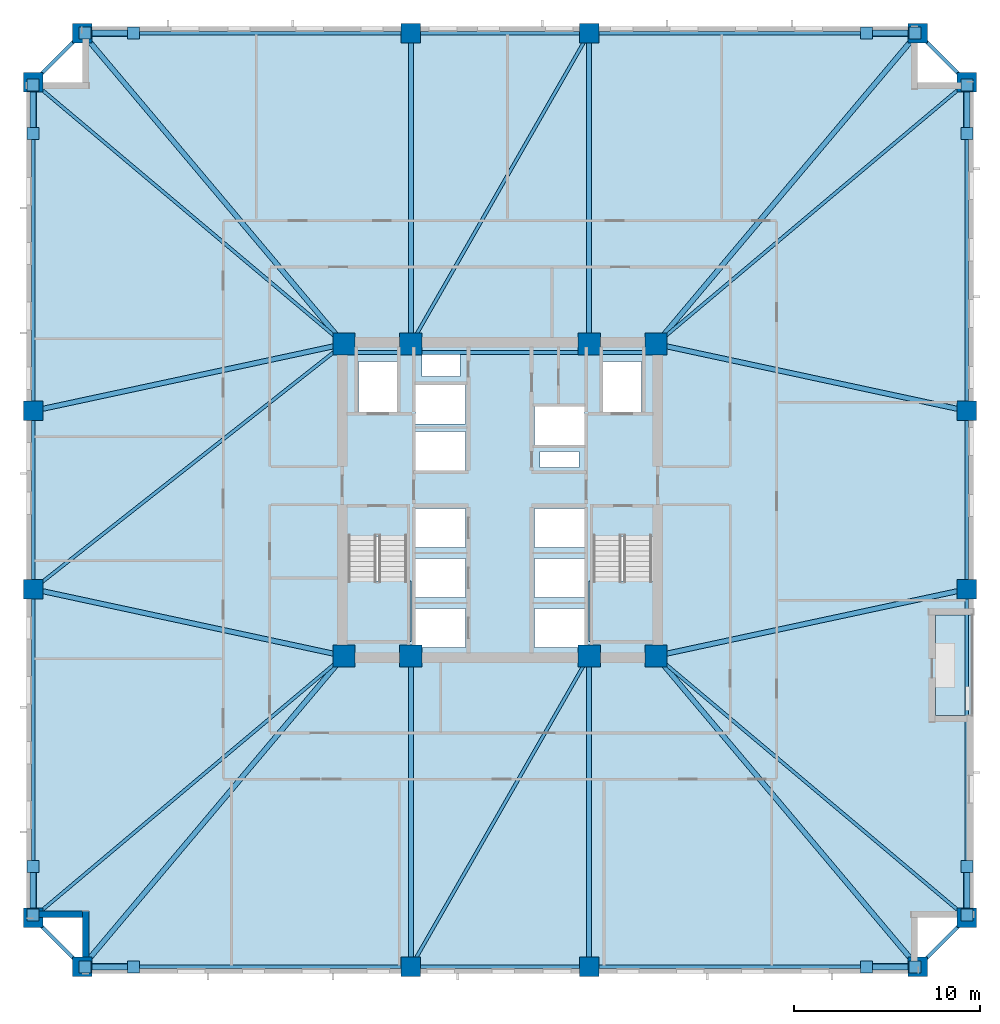
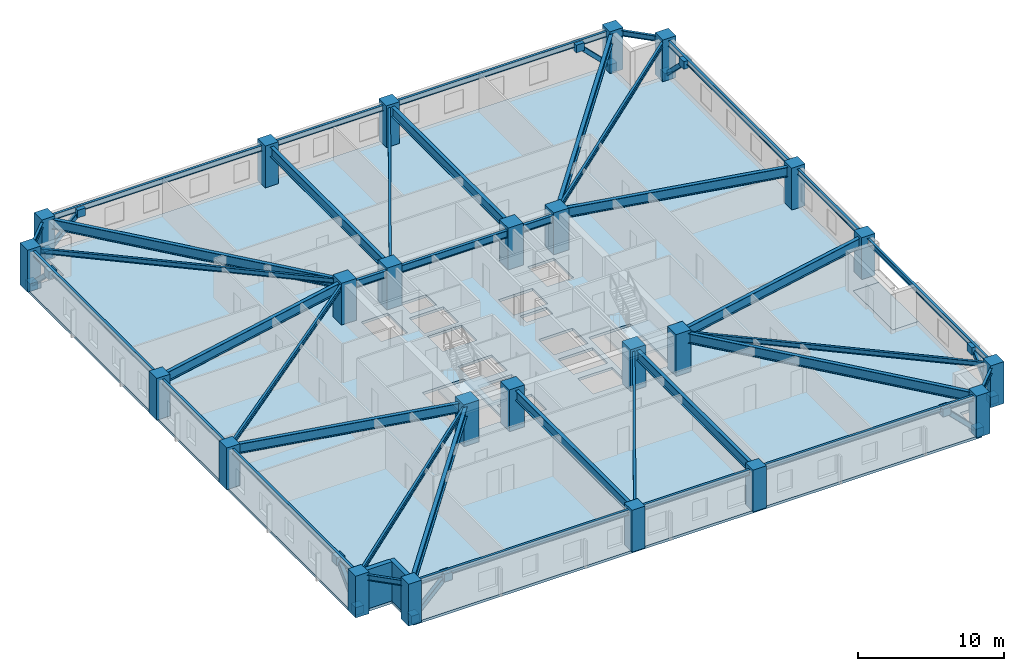
# One storey, part 1 of 11: 38 beams, 24 columns, 16 plates, 8 members, 4 slabs, 2 walls, 2 elements without a shape of their own.
"""IFC4 building model written with IfcOpenShell, lengths in metres."""

from ifc_helpers import new_model, si_unit, direction, frame, frame_2d, origin, origin_2d, place, context, subcontext, project, spatial, polyline, rectangle, hollow_rectangle, i_section, outline, extrude, material, layer, layer_set, material_profile, profile_set, type_object, element, aggregate, save


model = new_model("IFC4")

# Units and contexts
model_context = context("Model", 3, precision=1e-05, world=origin(), true_north=direction((0.0, 1.0)))
body_context = subcontext(model_context, "Body", "Model", "MODEL_VIEW")
ifc_project = project(units=[si_unit("LENGTHUNIT", "METRE"), si_unit("AREAUNIT", "SQUARE_METRE"), si_unit("VOLUMEUNIT", "CUBIC_METRE"), si_unit("PLANEANGLEUNIT", "RADIAN"), si_unit("MASSUNIT", "GRAM", prefix="KILO")], contexts=[model_context])

# Site, building, storey
site_placement = place(None, origin())
site = spatial("IfcSite", under=ifc_project, at=site_placement, CompositionType="ELEMENT")
building_placement = place(site_placement, origin())
building = spatial("IfcBuilding", under=site, at=building_placement, Name="Cairnveth Concourse Tower", CompositionType="ELEMENT")
storey_placement = place(building_placement, frame((0.0, 0.0, 58.5)))
storey = spatial("IfcBuildingStorey", under=building, at=storey_placement, Name="L15", CompositionType="ELEMENT", Elevation=58.5)

# Columns
ifc_material_1 = material(Name="Concrete N80 (80 MPa)", Category="concrete")
ifc_material_profile_1 = material_profile(ifc_material_1, rectangle(XDim=1.199951171875, YDim=1.199951171875, at=origin_2d()), Name="RC-COL-1200x1200")
ifc_profile_set_1 = profile_set([ifc_material_profile_1], Name="Concrete N80 (80 MPa)")
column_type_1 = type_object("IfcColumnType", Name="CORE COLUMN 1200X1200", PredefinedType="COLUMN", material=ifc_profile_set_1)
for number, where, z_axis, x_axis, name in (
    (1, (43.60009765625, 30.60009765625, 0.0), (0.0, 0.0, 1.0), (1.0, 0.0, 0.0), "Column CC1 L15"),
    (2, (47.199951171875, 30.60009765625, 0.0), (0.0, 0.0, 1.0), (1.0, 0.0, 0.0), "Column CC2 L15"),
    (3, (56.800048828125, 30.60009765625, 0.0), (0.0, 0.0, 1.0), (1.0, 0.0, 0.0), "Column CC3 L15"),
    (4, (60.39990234375, 30.60009765625, 0.0), (0.0, 0.0, 1.0), (1.0, 0.0, 0.0), "Column CC4 L15"),
    (5, (43.60009765625, 47.39990234375, 0.0), (0.0, 0.0, 1.0), (1.0, 0.0, 0.0), "Column CC5 L15"),
    (6, (47.199951171875, 47.39990234375, 0.0), (0.0, 0.0, 1.0), (1.0, 0.0, 0.0), "Column CC6 L15"),
    (7, (56.800048828125, 47.39990234375, 0.0), (0.0, 0.0, 1.0), (1.0, 0.0, 0.0), "Column CC7 L15"),
    (8, (60.39990234375, 47.39990234375, 0.0), (0.0, 0.0, 1.0), (1.0, 0.0, 0.0), "Column CC8 L15"),
):
    element("IfcColumn", number, at=place(storey_placement, frame(where, z_axis=z_axis, x_axis=x_axis)), inside=storey, type_object=column_type_1, Name=name, PredefinedType="COLUMN", context=body_context, shape_type="SweptSolid", body=[
        extrude(rectangle(XDim=1.199951171875, YDim=1.199951171875, at=origin_2d()), origin(), (0.0, 0.0, 1.0), 3.5),
    ])
ifc_material_2 = material(Name="Concrete N65 (65 MPa)", Category="concrete")
ifc_material_profile_2 = material_profile(ifc_material_2, rectangle(XDim=1.050048828125, YDim=1.050048828125, at=origin_2d()), Name="RC-COL-1050x1050")
ifc_profile_set_2 = profile_set([ifc_material_profile_2], Name="Concrete N65 (65 MPa)")
column_type_2 = type_object("IfcColumnType", Name="PERIMETER PIER COLUMN 1050X1050", PredefinedType="COLUMN", material=ifc_profile_set_2)
for number, where, z_axis, x_axis, name in (
    (9, (29.5, 13.85009765625, 0.0), (0.0, 0.0, 1.0), (1.0, 0.0, 0.0), "Column P-S1 L15"),
    (10, (47.199951171875, 13.85009765625, 0.0), (0.0, 0.0, 1.0), (1.0, 0.0, 0.0), "Column P-S2 L15"),
    (11, (56.800048828125, 13.85009765625, 0.0), (0.0, 0.0, 1.0), (1.0, 0.0, 0.0), "Column P-S3 L15"),
    (12, (74.5, 13.85009765625, 0.0), (0.0, 0.0, 1.0), (1.0, 0.0, 0.0), "Column P-S4 L15"),
    (13, (77.14990234375, 16.5, 0.0), (0.0, 0.0, 1.0), (0.0, 1.0, 0.0), "Column P-E1 L15"),
    (14, (77.14990234375, 34.199951171875, 0.0), (0.0, 0.0, 1.0), (0.0, 1.0, 0.0), "Column P-E2 L15"),
    (15, (77.14990234375, 43.800048828125, 0.0), (0.0, 0.0, 1.0), (0.0, 1.0, 0.0), "Column P-E3 L15"),
    (16, (77.14990234375, 61.5, 0.0), (0.0, 0.0, 1.0), (0.0, 1.0, 0.0), "Column P-E4 L15"),
    (17, (74.5, 64.14990234375, 0.0), (0.0, 0.0, 1.0), (1.0, 0.0, 0.0), "Column P-N1 L15"),
    (18, (56.800048828125, 64.14990234375, 0.0), (0.0, 0.0, 1.0), (1.0, 0.0, 0.0), "Column P-N2 L15"),
    (19, (47.199951171875, 64.14990234375, 0.0), (0.0, 0.0, 1.0), (1.0, 0.0, 0.0), "Column P-N3 L15"),
    (20, (29.5, 64.14990234375, 0.0), (0.0, 0.0, 1.0), (1.0, 0.0, 0.0), "Column P-N4 L15"),
    (21, (26.85009765625, 61.5, 0.0), (0.0, 0.0, 1.0), (0.0, 1.0, 0.0), "Column P-W1 L15"),
    (22, (26.85009765625, 43.800048828125, 0.0), (0.0, 0.0, 1.0), (0.0, 1.0, 0.0), "Column P-W2 L15"),
    (23, (26.85009765625, 34.199951171875, 0.0), (0.0, 0.0, 1.0), (0.0, 1.0, 0.0), "Column P-W3 L15"),
    (24, (26.85009765625, 16.5, 0.0), (0.0, 0.0, 1.0), (0.0, 1.0, 0.0), "Column P-W4 L15"),
):
    element("IfcColumn", number, at=place(storey_placement, frame(where, z_axis=z_axis, x_axis=x_axis)), inside=storey, type_object=column_type_2, Name=name, PredefinedType="COLUMN", context=body_context, shape_type="SweptSolid", body=[
        extrude(rectangle(XDim=1.050048828125, YDim=1.050048828125, at=origin_2d()), origin(), (0.0, 0.0, 1.0), 3.5),
    ])

# Beams
ifc_material_3 = material(Name="Steel Grade 350", Category="steel")
ifc_material_profile_3 = material_profile(ifc_material_3, i_section(OverallWidth=0.22802734375, OverallDepth=0.60693359375, WebThickness=0.01123046875, FlangeThickness=0.017333984375, FilletRadius=0.013916015625, at=origin_2d()), Name="610UB113")
ifc_profile_set_3 = profile_set([ifc_material_profile_3], Name="Steel Grade 350")
beam_type_1 = type_object("IfcBeamType", Name="CORE TIE BEAM 610UB113", PredefinedType="T_BEAM", material=ifc_profile_set_3)
for number, where, z_axis, x_axis, name in (
    (25, (43.60009765625, 46.949951171875, 2.9765625), (1.0, 0.0, 0.0), (0.0, 1.0, 0.0), "Beam CT-N1 L15"),
    (26, (56.800048828125, 46.949951171875, 2.9765625), (1.0, 0.0, 0.0), (0.0, 1.0, 0.0), "Beam CT-N3 L15"),
):
    element("IfcBeam", number, at=place(storey_placement, frame(where, z_axis=z_axis, x_axis=x_axis)), inside=storey, type_object=beam_type_1, Name=name, PredefinedType="T_BEAM", context=body_context, shape_type="SweptSolid", body=[
        extrude(i_section(OverallWidth=0.22802734375, OverallDepth=0.60693359375, WebThickness=0.01123046875, FlangeThickness=0.017333984375, FilletRadius=0.013916015625, at=origin_2d()), origin(), (0.0, 0.0, 1.0), 3.599853515625),
    ])
beam_1_placement = place(storey_placement, frame((47.199951171875, 46.949951171875, 2.9765625), z_axis=(1.0, 0.0, 0.0), x_axis=(0.0, 1.0, 0.0)))
element("IfcBeam", 27, at=beam_1_placement, inside=storey, type_object=beam_type_1, Name="Beam CT-N2 L15", PredefinedType="T_BEAM", context=body_context, shape_type="SweptSolid", body=[
    extrude(i_section(OverallWidth=0.22802734375, OverallDepth=0.60693359375, WebThickness=0.01123046875, FlangeThickness=0.017333984375, FilletRadius=0.013916015625, at=origin_2d()), origin(), (0.0, 0.0, 1.0), 9.60009765625),
])
ifc_material_profile_4 = material_profile(ifc_material_3, i_section(OverallWidth=0.177978515625, OverallDepth=0.406005859375, WebThickness=0.0078125, FlangeThickness=0.0126953125, FilletRadius=0.010986328125, at=origin_2d()), Name="410UB59.7")
ifc_profile_set_4 = profile_set([ifc_material_profile_4], Name="Steel Grade 350")
beam_type_2 = type_object("IfcBeamType", Name="ZONE 1 FLOOR JOIST 410UB59.7", PredefinedType="JOIST", material=ifc_profile_set_4)
for number, where, z_axis, x_axis, name in (
    (28, (26.85009765625, 16.5, 3.076904296875), (0.765027427674, 0.643997697905, 0.0), (-0.643997697905, 0.765027427674, 0.0), "Beam FJ-CSW2 L15"),
    (29, (77.14990234375, 16.5, 3.076904296875), (-0.765027427674, 0.643997697905, 0.0), (-0.643997697905, -0.765027427674, 0.0), "Beam FJ-CSE2 L15"),
    (30, (77.14990234375, 61.5, 3.076904296875), (-0.765027427674, -0.643997697905, 0.0), (0.643997697905, -0.765027427674, 0.0), "Beam FJ-CNE2 L15"),
    (31, (26.85009765625, 61.5, 3.076904296875), (0.765027427674, -0.643997697905, 0.0), (0.643997697905, 0.765027427674, 0.0), "Beam FJ-CNW2 L15"),
):
    element("IfcBeam", number, at=place(storey_placement, frame(where, z_axis=z_axis, x_axis=x_axis)), inside=storey, type_object=beam_type_2, Name=name, PredefinedType="JOIST", context=body_context, shape_type="SweptSolid", body=[
        extrude(i_section(OverallWidth=0.177978515625, OverallDepth=0.406005859375, WebThickness=0.0078125, FlangeThickness=0.0126953125, FilletRadius=0.010986328125, at=origin_2d()), origin(), (0.0, 0.0, 1.0), 21.89453125),
    ])
for number, where, z_axis, x_axis, name in (
    (32, (47.199951171875, 13.85009765625, 3.076904296875), (0.497257970706, 0.86760273776, 0.0), (-0.86760273776, 0.497257970706, 0.0), "Beam FJ-S-M1 L15"),
    (33, (47.199951171875, 47.39990234375, 3.076904296875), (0.497257970706, 0.86760273776, 0.0), (-0.86760273776, 0.497257970706, 0.0), "Beam FJ-N-M1 L15"),
):
    element("IfcBeam", number, at=place(storey_placement, frame(where, z_axis=z_axis, x_axis=x_axis)), inside=storey, type_object=beam_type_2, Name=name, PredefinedType="JOIST", context=body_context, shape_type="SweptSolid", body=[
        extrude(i_section(OverallWidth=0.177978515625, OverallDepth=0.406005859375, WebThickness=0.0078125, FlangeThickness=0.0126953125, FilletRadius=0.010986328125, at=origin_2d()), origin(), (0.0, 0.0, 1.0), 19.30615234375),
    ])
beam_2_placement = place(storey_placement, frame((26.85009765625, 34.199951171875, 3.076904296875), z_axis=(0.785423705995, 0.618958481694, 0.0), x_axis=(-0.618958481694, 0.785423705995, 0.0)))
element("IfcBeam", 34, at=beam_2_placement, inside=storey, type_object=beam_type_2, Name="Beam FJ-W-M1 L15", PredefinedType="JOIST", context=body_context, shape_type="SweptSolid", body=[
    extrude(i_section(OverallWidth=0.177978515625, OverallDepth=0.406005859375, WebThickness=0.0078125, FlangeThickness=0.0126953125, FilletRadius=0.010986328125, at=origin_2d()), origin(), (0.0, 0.0, 1.0), 21.326171875),
])

# Members
ifc_material_4 = material(Name="Steel C350L0 (350 MPa)", Category="steel")
ifc_material_profile_5 = material_profile(ifc_material_4, hollow_rectangle(XDim=0.35009765625, YDim=0.35009765625, WallThickness=0.01611328125, InnerFilletRadius=0.01611328125, OuterFilletRadius=0.031982421875, at=origin_2d()), Name="350x350x16.0SHS")
ifc_profile_set_5 = profile_set([ifc_material_profile_5], Name="Steel C350L0 (350 MPa)")
member_type = type_object("IfcMemberType", Name="ZONE 1 PIER BRACE 350X350X16SHS", PredefinedType="BRACE", material=ifc_profile_set_5)
for number, where, z_axis, x_axis, name in (
    (35, (29.64990234375, 13.85009765625, 0.25), (0.709834195787, 0.0, 0.704368805735), (0.0, 1.0, 0.0), "Structural Brace PB-S1 L15"),
    (36, (74.35009765625, 13.85009765625, 0.25), (-0.709834195787, 0.0, 0.704368805735), (0.0, -1.0, 0.0), "Structural Brace PB-S2 L15"),
    (37, (29.64990234375, 64.14990234375, 0.25), (0.709834195787, 0.0, 0.704368805735), (0.0, 1.0, 0.0), "Structural Brace PB-N1 L15"),
    (38, (74.35009765625, 64.14990234375, 0.25), (-0.709834195787, 0.0, 0.704368805735), (0.0, -1.0, 0.0), "Structural Brace PB-N2 L15"),
    (39, (26.85009765625, 16.64990234375, 0.25), (0.0, 0.709834195787, 0.704368805735), (-1.0, 0.0, 0.0), "Structural Brace PB-W1 L15"),
    (40, (26.85009765625, 61.35009765625, 0.25), (0.0, -0.709834195787, 0.704368805735), (1.0, 0.0, 0.0), "Structural Brace PB-W2 L15"),
    (41, (77.14990234375, 16.64990234375, 0.25), (0.0, 0.709834195787, 0.704368805735), (-1.0, 0.0, 0.0), "Structural Brace PB-E1 L15"),
    (42, (77.14990234375, 61.35009765625, 0.25), (0.0, -0.709834195787, 0.704368805735), (1.0, 0.0, 0.0), "Structural Brace PB-E2 L15"),
):
    element("IfcMember", number, at=place(storey_placement, frame(where, z_axis=z_axis, x_axis=x_axis)), inside=storey, type_object=member_type, Name=name, PredefinedType="BRACE", context=body_context, shape_type="SweptSolid", body=[
        extrude(hollow_rectangle(XDim=0.35009765625, YDim=0.35009765625, WallThickness=0.01611328125, InnerFilletRadius=0.01611328125, OuterFilletRadius=0.031982421875, at=origin_2d()), origin(), (0.0, 0.0, 1.0), 3.6630859375),
    ])

# Beams
ifc_material_profile_6 = material_profile(ifc_material_3, i_section(OverallWidth=0.27490234375, OverallDepth=0.81591796875, WebThickness=0.011962890625, FlangeThickness=0.028076171875, at=origin_2d()), Name="800WB192")
ifc_profile_set_6 = profile_set([ifc_material_profile_6], Name="Steel Grade 350")
beam_type_3 = type_object("IfcBeamType", Name="ZONE 1 RADIAL GIRDER 800WB192", PredefinedType="BEAM", material=ifc_profile_set_6)
for number, where, z_axis, x_axis, name in (
    (43, (47.199951171875, 13.85009765625, 2.8720703125), (0.0, 1.0, 0.0), (-1.0, 0.0, 0.0), "Beam RG-S1 L15"),
    (44, (56.800048828125, 13.85009765625, 2.8720703125), (0.0, 1.0, 0.0), (-1.0, 0.0, 0.0), "Beam RG-S2 L15"),
    (45, (47.199951171875, 47.39990234375, 2.8720703125), (0.0, 1.0, 0.0), (-1.0, 0.0, 0.0), "Beam RG-N1 L15"),
    (46, (56.800048828125, 47.39990234375, 2.8720703125), (0.0, 1.0, 0.0), (-1.0, 0.0, 0.0), "Beam RG-N2 L15"),
):
    element("IfcBeam", number, at=place(storey_placement, frame(where, z_axis=z_axis, x_axis=x_axis)), inside=storey, type_object=beam_type_3, Name=name, PredefinedType="BEAM", context=body_context, shape_type="SweptSolid", body=[
        extrude(i_section(OverallWidth=0.27490234375, OverallDepth=0.81591796875, WebThickness=0.011962890625, FlangeThickness=0.028076171875, at=origin_2d()), origin(), (0.0, 0.0, 1.0), 16.75),
    ])
for number, where, z_axis, x_axis, name in (
    (47, (26.85009765625, 34.199951171875, 2.8720703125), (0.977675861524, -0.210118799239, 0.0), (0.210118799239, 0.977675861524, 0.0), "Beam RG-W1 L15"),
    (48, (26.85009765625, 43.800048828125, 2.8720703125), (0.977675861524, 0.210118799239, 0.0), (-0.210118799239, 0.977675861524, 0.0), "Beam RG-W2 L15"),
    (49, (60.39990234375, 30.60009765625, 2.8720703125), (0.977675861524, 0.210118799239, 0.0), (-0.210118799239, 0.977675861524, 0.0), "Beam RG-E1 L15"),
    (50, (60.39990234375, 47.39990234375, 2.8720703125), (0.977675861524, -0.210118799239, 0.0), (0.210118799239, 0.977675861524, 0.0), "Beam RG-E2 L15"),
):
    element("IfcBeam", number, at=place(storey_placement, frame(where, z_axis=z_axis, x_axis=x_axis)), inside=storey, type_object=beam_type_3, Name=name, PredefinedType="BEAM", context=body_context, shape_type="SweptSolid", body=[
        extrude(i_section(OverallWidth=0.27490234375, OverallDepth=0.81591796875, WebThickness=0.011962890625, FlangeThickness=0.028076171875, at=origin_2d()), origin(), (0.0, 0.0, 1.0), 17.132568359375),
    ])
for number, where, z_axis, x_axis, name in (
    (51, (29.5, 13.85009765625, 2.8720703125), (0.643997697905, 0.765027427674, 0.0), (-0.765027427674, 0.643997697905, 0.0), "Beam RG-CSW L15"),
    (52, (74.5, 13.85009765625, 2.8720703125), (-0.643997697905, 0.765027427674, 0.0), (-0.765027427674, -0.643997697905, 0.0), "Beam RG-CSE L15"),
    (53, (74.5, 64.14990234375, 2.8720703125), (-0.643997697905, -0.765027427674, 0.0), (0.765027427674, -0.643997697905, 0.0), "Beam RG-CNE L15"),
    (54, (29.5, 64.14990234375, 2.8720703125), (0.643997697905, -0.765027427674, 0.0), (0.765027427674, 0.643997697905, 0.0), "Beam RG-CNW L15"),
):
    element("IfcBeam", number, at=place(storey_placement, frame(where, z_axis=z_axis, x_axis=x_axis)), inside=storey, type_object=beam_type_3, Name=name, PredefinedType="BEAM", context=body_context, shape_type="SweptSolid", body=[
        extrude(i_section(OverallWidth=0.27490234375, OverallDepth=0.81591796875, WebThickness=0.011962890625, FlangeThickness=0.028076171875, at=origin_2d()), origin(), (0.0, 0.0, 1.0), 21.89453125),
    ])
ifc_material_profile_7 = material_profile(ifc_material_3, i_section(OverallWidth=0.19091796875, OverallDepth=0.4599609375, WebThickness=0.010009765625, FlangeThickness=0.01611328125, FilletRadius=0.010986328125, at=origin_2d()), Name="460UB82.1")
ifc_profile_set_7 = profile_set([ifc_material_profile_7], Name="Steel Grade 350")
beam_type_4 = type_object("IfcBeamType", Name="ZONE 1 SPANDREL BEAM 460UB82.1", PredefinedType="SPANDREL", material=ifc_profile_set_7)
beam_3_placement = place(storey_placement, frame((29.5, 13.85009765625, 3.050048828125), z_axis=(1.0, 0.0, 0.0), x_axis=(0.0, 1.0, 0.0)))
element("IfcBeam", 55, at=beam_3_placement, inside=storey, type_object=beam_type_4, Name="Beam SP-S1 L15", PredefinedType="SPANDREL", context=body_context, shape_type="SweptSolid", body=[
    extrude(i_section(OverallWidth=0.19091796875, OverallDepth=0.4599609375, WebThickness=0.010009765625, FlangeThickness=0.01611328125, FilletRadius=0.010986328125, at=origin_2d()), origin(), (0.0, 0.0, 1.0), 17.699951171875),
])
beam_4_placement = place(storey_placement, frame((47.199951171875, 13.85009765625, 3.050048828125), z_axis=(1.0, 0.0, 0.0), x_axis=(0.0, 1.0, 0.0)))
element("IfcBeam", 56, at=beam_4_placement, inside=storey, type_object=beam_type_4, Name="Beam SP-S2 L15", PredefinedType="SPANDREL", context=body_context, shape_type="SweptSolid", body=[
    extrude(i_section(OverallWidth=0.19091796875, OverallDepth=0.4599609375, WebThickness=0.010009765625, FlangeThickness=0.01611328125, FilletRadius=0.010986328125, at=origin_2d()), origin(), (0.0, 0.0, 1.0), 9.60009765625),
])
for number, where, z_axis, x_axis, name in (
    (57, (56.800048828125, 13.85009765625, 3.050048828125), (1.0, 0.0, 0.0), (0.0, 1.0, 0.0), "Beam SP-S3 L15"),
    (58, (29.5, 64.14990234375, 3.050048828125), (1.0, 0.0, 0.0), (0.0, 1.0, 0.0), "Beam SP-N1 L15"),
):
    element("IfcBeam", number, at=place(storey_placement, frame(where, z_axis=z_axis, x_axis=x_axis)), inside=storey, type_object=beam_type_4, Name=name, PredefinedType="SPANDREL", context=body_context, shape_type="SweptSolid", body=[
        extrude(i_section(OverallWidth=0.19091796875, OverallDepth=0.4599609375, WebThickness=0.010009765625, FlangeThickness=0.01611328125, FilletRadius=0.010986328125, at=origin_2d()), origin(), (0.0, 0.0, 1.0), 17.699951171875),
    ])
beam_5_placement = place(storey_placement, frame((47.199951171875, 64.14990234375, 3.050048828125), z_axis=(1.0, 0.0, 0.0), x_axis=(0.0, 1.0, 0.0)))
element("IfcBeam", 59, at=beam_5_placement, inside=storey, type_object=beam_type_4, Name="Beam SP-N2 L15", PredefinedType="SPANDREL", context=body_context, shape_type="SweptSolid", body=[
    extrude(i_section(OverallWidth=0.19091796875, OverallDepth=0.4599609375, WebThickness=0.010009765625, FlangeThickness=0.01611328125, FilletRadius=0.010986328125, at=origin_2d()), origin(), (0.0, 0.0, 1.0), 9.60009765625),
])
for number, where, z_axis, x_axis, name in (
    (60, (56.800048828125, 64.14990234375, 3.050048828125), (1.0, 0.0, 0.0), (0.0, 1.0, 0.0), "Beam SP-N3 L15"),
    (61, (26.85009765625, 16.5, 3.050048828125), (0.0, 1.0, 0.0), (-1.0, 0.0, 0.0), "Beam SP-W1 L15"),
):
    element("IfcBeam", number, at=place(storey_placement, frame(where, z_axis=z_axis, x_axis=x_axis)), inside=storey, type_object=beam_type_4, Name=name, PredefinedType="SPANDREL", context=body_context, shape_type="SweptSolid", body=[
        extrude(i_section(OverallWidth=0.19091796875, OverallDepth=0.4599609375, WebThickness=0.010009765625, FlangeThickness=0.01611328125, FilletRadius=0.010986328125, at=origin_2d()), origin(), (0.0, 0.0, 1.0), 17.699951171875),
    ])
beam_6_placement = place(storey_placement, frame((26.85009765625, 34.199951171875, 3.050048828125), z_axis=(0.0, 1.0, 0.0), x_axis=(-1.0, 0.0, 0.0)))
element("IfcBeam", 62, at=beam_6_placement, inside=storey, type_object=beam_type_4, Name="Beam SP-W2 L15", PredefinedType="SPANDREL", context=body_context, shape_type="SweptSolid", body=[
    extrude(i_section(OverallWidth=0.19091796875, OverallDepth=0.4599609375, WebThickness=0.010009765625, FlangeThickness=0.01611328125, FilletRadius=0.010986328125, at=origin_2d()), origin(), (0.0, 0.0, 1.0), 9.60009765625),
])
for number, where, z_axis, x_axis, name in (
    (63, (26.85009765625, 43.800048828125, 3.050048828125), (0.0, 1.0, 0.0), (-1.0, 0.0, 0.0), "Beam SP-W3 L15"),
    (64, (77.14990234375, 16.5, 3.050048828125), (0.0, 1.0, 0.0), (-1.0, 0.0, 0.0), "Beam SP-E1 L15"),
):
    element("IfcBeam", number, at=place(storey_placement, frame(where, z_axis=z_axis, x_axis=x_axis)), inside=storey, type_object=beam_type_4, Name=name, PredefinedType="SPANDREL", context=body_context, shape_type="SweptSolid", body=[
        extrude(i_section(OverallWidth=0.19091796875, OverallDepth=0.4599609375, WebThickness=0.010009765625, FlangeThickness=0.01611328125, FilletRadius=0.010986328125, at=origin_2d()), origin(), (0.0, 0.0, 1.0), 17.699951171875),
    ])
beam_7_placement = place(storey_placement, frame((77.14990234375, 34.199951171875, 3.050048828125), z_axis=(0.0, 1.0, 0.0), x_axis=(-1.0, 0.0, 0.0)))
element("IfcBeam", 65, at=beam_7_placement, inside=storey, type_object=beam_type_4, Name="Beam SP-E2 L15", PredefinedType="SPANDREL", context=body_context, shape_type="SweptSolid", body=[
    extrude(i_section(OverallWidth=0.19091796875, OverallDepth=0.4599609375, WebThickness=0.010009765625, FlangeThickness=0.01611328125, FilletRadius=0.010986328125, at=origin_2d()), origin(), (0.0, 0.0, 1.0), 9.60009765625),
])
beam_8_placement = place(storey_placement, frame((77.14990234375, 43.800048828125, 3.050048828125), z_axis=(0.0, 1.0, 0.0), x_axis=(-1.0, 0.0, 0.0)))
element("IfcBeam", 66, at=beam_8_placement, inside=storey, type_object=beam_type_4, Name="Beam SP-E3 L15", PredefinedType="SPANDREL", context=body_context, shape_type="SweptSolid", body=[
    extrude(i_section(OverallWidth=0.19091796875, OverallDepth=0.4599609375, WebThickness=0.010009765625, FlangeThickness=0.01611328125, FilletRadius=0.010986328125, at=origin_2d()), origin(), (0.0, 0.0, 1.0), 17.699951171875),
])
for number, where, z_axis, x_axis, name in (
    (67, (26.85009765625, 16.5, 3.050048828125), (0.707106781187, -0.707106781187, 0.0), (0.707106781187, 0.707106781187, 0.0), "Beam SP-SW L15"),
    (68, (74.5, 13.85009765625, 3.050048828125), (0.707106781187, 0.707106781187, 0.0), (-0.707106781187, 0.707106781187, 0.0), "Beam SP-SE L15"),
    (69, (74.5, 64.14990234375, 3.050048828125), (0.707106781187, -0.707106781187, 0.0), (0.707106781187, 0.707106781187, 0.0), "Beam SP-NE L15"),
    (70, (26.85009765625, 61.5, 3.050048828125), (0.707106781187, 0.707106781187, 0.0), (-0.707106781187, 0.707106781187, 0.0), "Beam SP-NW L15"),
):
    element("IfcBeam", number, at=place(storey_placement, frame(where, z_axis=z_axis, x_axis=x_axis)), inside=storey, type_object=beam_type_4, Name=name, PredefinedType="SPANDREL", context=body_context, shape_type="SweptSolid", body=[
        extrude(i_section(OverallWidth=0.19091796875, OverallDepth=0.4599609375, WebThickness=0.010009765625, FlangeThickness=0.01611328125, FilletRadius=0.010986328125, at=origin_2d()), origin(), (0.0, 0.0, 1.0), 3.74755859375),
    ])

# Slab
ifc_material_5 = material(Name="Concrete N50 (50 MPa)", Category="concrete")
ifc_layer_1 = layer(ifc_material_5, 0.219970703125)
ifc_layer_set_1 = layer_set([ifc_layer_1], Name="Concrete N50 (50 MPa)")
slab_type_1 = type_object("IfcSlabType", Name="LOWER TOWER COMPOSITE SLAB 220", PredefinedType="FLOOR", material=ifc_layer_set_1)
slab_1_placement = place(storey_placement, frame((0.0, 0.0, -0.219970703125)))
element("IfcSlab", 71, at=slab_1_placement, inside=storey, type_object=slab_type_1, Name="Tower Floor Slab L15", PredefinedType="FLOOR", context=body_context, shape_type="SweptSolid", body=[
    extrude(outline(polyline([(77.5, 27.39990234375), (75.449951171875, 27.39990234375), (75.449951171875, 32.800048828125), (77.5, 32.800048828125), (77.5, 61.5), (74.5, 61.5), (74.5, 64.5), (29.5, 64.5), (29.5, 61.5), (26.5, 61.5), (26.5, 16.5), (29.5, 16.5), (29.5, 13.5), (74.5, 13.5), (74.5, 16.5), (77.5, 16.5), (77.5, 27.39990234375)]), holes=[polyline([(43.760009765625, 31.360107421875), (47.06005859375, 31.360107421875), (47.06005859375, 37.0400390625), (43.760009765625, 37.0400390625), (43.760009765625, 31.360107421875)]), polyline([(56.93994140625, 31.360107421875), (60.239990234375, 31.360107421875), (60.239990234375, 37.0400390625), (56.93994140625, 37.0400390625), (56.93994140625, 31.360107421875)]), polyline([(44.3701171875, 43.75), (46.469970703125, 43.75), (46.469970703125, 46.449951171875), (44.3701171875, 46.449951171875), (44.3701171875, 43.75)]), polyline([(57.530029296875, 43.75), (59.6298828125, 43.75), (59.6298828125, 46.449951171875), (57.530029296875, 46.449951171875), (57.530029296875, 43.75)]), polyline([(47.449951171875, 31.050048828125), (50.14990234375, 31.050048828125), (50.14990234375, 33.14990234375), (47.449951171875, 33.14990234375), (47.449951171875, 31.050048828125)]), polyline([(47.449951171875, 33.75), (50.14990234375, 33.75), (50.14990234375, 35.85009765625), (47.449951171875, 35.85009765625), (47.449951171875, 33.75)]), polyline([(47.449951171875, 36.449951171875), (50.14990234375, 36.449951171875), (50.14990234375, 38.550048828125), (47.449951171875, 38.550048828125), (47.449951171875, 36.449951171875)]), polyline([(53.85009765625, 31.050048828125), (56.550048828125, 31.050048828125), (56.550048828125, 33.14990234375), (53.85009765625, 33.14990234375), (53.85009765625, 31.050048828125)]), polyline([(53.85009765625, 33.75), (56.550048828125, 33.75), (56.550048828125, 35.85009765625), (53.85009765625, 35.85009765625), (53.85009765625, 33.75)]), polyline([(53.85009765625, 36.449951171875), (56.550048828125, 36.449951171875), (56.550048828125, 38.550048828125), (53.85009765625, 38.550048828125), (53.85009765625, 36.449951171875)]), polyline([(47.449951171875, 40.60009765625), (50.14990234375, 40.60009765625), (50.14990234375, 42.699951171875), (47.449951171875, 42.699951171875), (47.449951171875, 40.60009765625)]), polyline([(47.449951171875, 43.10009765625), (50.14990234375, 43.10009765625), (50.14990234375, 45.199951171875), (47.449951171875, 45.199951171875), (47.449951171875, 43.10009765625)]), polyline([(53.85009765625, 41.949951171875), (56.550048828125, 41.949951171875), (56.550048828125, 44.050048828125), (53.85009765625, 44.050048828125), (53.85009765625, 41.949951171875)]), polyline([(47.800048828125, 45.64990234375), (49.85009765625, 45.64990234375), (49.85009765625, 47.050048828125), (47.800048828125, 47.050048828125), (47.800048828125, 45.64990234375)]), polyline([(54.14990234375, 40.75), (56.25, 40.75), (56.25, 41.6201171875), (54.14990234375, 41.6201171875), (54.14990234375, 40.75)])]), origin(), (0.0, 0.0, 1.0), 0.219970703125),
])

# Plates
ifc_layer_2 = layer(ifc_material_3, 0.031982421875)
ifc_layer_set_2 = layer_set([ifc_layer_2], Name="Steel Grade 350")
plate_type = type_object("IfcPlateType", Name="PERIMETER BRACE GUSSET PLATE 32", PredefinedType="USERDEFINED", material=ifc_layer_set_2)
for number, where, z_axis, x_axis, name in (
    (72, (29.64990234375, 13.85009765625, -0.06982421875), (0.0, 0.0, 1.0), (1.0, 0.0, 0.0), "Structural Node Plate 0221 L15"),
    (73, (32.25, 13.85009765625, 2.51025390625), (0.0, 0.0, 1.0), (1.0, 0.0, 0.0), "Structural Node Plate 0222 L15"),
    (74, (74.35009765625, 13.85009765625, -0.06982421875), (0.0, 0.0, 1.0), (1.0, 0.0, 0.0), "Structural Node Plate 0223 L15"),
    (75, (71.75, 13.85009765625, 2.51025390625), (0.0, 0.0, 1.0), (1.0, 0.0, 0.0), "Structural Node Plate 0224 L15"),
    (76, (29.64990234375, 64.14990234375, -0.06982421875), (0.0, 0.0, 1.0), (1.0, 0.0, 0.0), "Structural Node Plate 0225 L15"),
    (77, (32.25, 64.14990234375, 2.51025390625), (0.0, 0.0, 1.0), (1.0, 0.0, 0.0), "Structural Node Plate 0226 L15"),
    (78, (74.35009765625, 64.14990234375, -0.06982421875), (0.0, 0.0, 1.0), (1.0, 0.0, 0.0), "Structural Node Plate 0227 L15"),
    (79, (71.75, 64.14990234375, 2.51025390625), (0.0, 0.0, 1.0), (1.0, 0.0, 0.0), "Structural Node Plate 0228 L15"),
    (80, (26.85009765625, 16.64990234375, -0.06982421875), (0.0, 0.0, 1.0), (1.0, 0.0, 0.0), "Structural Node Plate 0229 L15"),
    (81, (26.85009765625, 19.25, 2.51025390625), (0.0, 0.0, 1.0), (1.0, 0.0, 0.0), "Structural Node Plate 0230 L15"),
    (82, (26.85009765625, 61.35009765625, -0.06982421875), (0.0, 0.0, 1.0), (1.0, 0.0, 0.0), "Structural Node Plate 0231 L15"),
    (83, (26.85009765625, 58.75, 2.51025390625), (0.0, 0.0, 1.0), (1.0, 0.0, 0.0), "Structural Node Plate 0232 L15"),
    (84, (77.14990234375, 16.64990234375, -0.06982421875), (0.0, 0.0, 1.0), (1.0, 0.0, 0.0), "Structural Node Plate 0233 L15"),
    (85, (77.14990234375, 19.25, 2.51025390625), (0.0, 0.0, 1.0), (1.0, 0.0, 0.0), "Structural Node Plate 0234 L15"),
    (86, (77.14990234375, 61.35009765625, -0.06982421875), (0.0, 0.0, 1.0), (1.0, 0.0, 0.0), "Structural Node Plate 0235 L15"),
    (87, (77.14990234375, 58.75, 2.51025390625), (0.0, 0.0, 1.0), (1.0, 0.0, 0.0), "Structural Node Plate 0236 L15"),
):
    element("IfcPlate", number, at=place(storey_placement, frame(where, z_axis=z_axis, x_axis=x_axis)), inside=storey, type_object=plate_type, Name=name, ObjectType="GUSSET PLATE", PredefinedType="USERDEFINED", context=body_context, shape_type="SweptSolid", body=[
        extrude(rectangle(XDim=0.639892578125, YDim=0.639892578125, at=origin_2d()), origin(), (0.0, 0.0, 1.0), 0.639892578125),
    ])

# Slab
ifc_layer_3 = layer(ifc_material_5, 0.18994140625)
ifc_layer_set_3 = layer_set([ifc_layer_3], Name="Concrete N50 (50 MPa)")
slab_type_2 = type_object("IfcSlabType", Name="SPIRAL OUTDOOR TERRACE SLAB 190", PredefinedType="FLOOR", material=ifc_layer_set_3)
slab_2_placement = place(storey_placement, frame((0.0, 0.0, -0.18994140625)))
element("IfcSlab", 88, at=slab_2_placement, inside=storey, type_object=slab_type_2, Name="Spiral Terrace Slab L15", PredefinedType="FLOOR", context=body_context, shape_type="SweptSolid", body=[
    extrude(outline(polyline([(75.449951171875, 27.39990234375), (77.5, 27.39990234375), (77.5, 32.800048828125), (75.449951171875, 32.800048828125), (75.449951171875, 27.39990234375)])), origin(), (0.0, 0.0, 1.0), 0.18994140625),
])

# Stair, slab
ifc_material_6 = material(Name="Precast concrete N50 (50 MPa)", Category="concrete")
stair_type = type_object("IfcStairType", Name="CORE DOG-LEG FIRE STAIR 1500", PredefinedType="HALF_TURN_STAIR", material=ifc_material_6)
stair_1_placement = place(storey_placement, origin())
stair_1 = element("IfcStair", 89, at=stair_1_placement, inside=storey, type_object=stair_type, Name="L15 Fire-Isolated Stair ST-1", PredefinedType="HALF_TURN_STAIR")
ifc_layer_4 = layer(ifc_material_5, 0.199951171875)
ifc_layer_set_4 = layer_set([ifc_layer_4], Name="Concrete N50 (50 MPa)")
slab_type_3 = type_object("IfcSlabType", Name="STAIR HALF LANDING SLAB 200", PredefinedType="LANDING", material=ifc_layer_set_4)
slab_3_placement = place(storey_placement, frame((0.0, 0.0, 1.550048828125)))
slab_3 = element("IfcSlab", 90, at=slab_3_placement, type_object=slab_type_3, Name="ST-1 landing 1", PredefinedType="LANDING", context=body_context, shape_type="SweptSolid", body=[
    extrude(outline(polyline([(43.6201171875, 34.639892578125), (43.6201171875, 31.3701171875), (47.199951171875, 31.3701171875), (47.199951171875, 34.639892578125), (43.6201171875, 34.639892578125)])), origin(), (0.0, 0.0, 1.0), 0.199951171875),
])
aggregate(stair_1, [slab_3])

stair_2_placement = place(storey_placement, origin())
stair_2 = element("IfcStair", 91, at=stair_2_placement, inside=storey, type_object=stair_type, Name="L15 Fire-Isolated Stair ST-2", PredefinedType="HALF_TURN_STAIR")
slab_4_placement = place(storey_placement, frame((0.0, 0.0, 1.550048828125)))
slab_4 = element("IfcSlab", 92, at=slab_4_placement, type_object=slab_type_3, Name="ST-2 landing 1", PredefinedType="LANDING", context=body_context, shape_type="SweptSolid", body=[
    extrude(outline(polyline([(56.800048828125, 34.639892578125), (56.800048828125, 31.3701171875), (60.3798828125, 31.3701171875), (60.3798828125, 34.639892578125), (56.800048828125, 34.639892578125)])), origin(), (0.0, 0.0, 1.0), 0.199951171875),
])
aggregate(stair_2, [slab_4])

# Walls
ifc_material_7 = material(Name="Hawthorn Red-Ochre Fired Clay Brick Masonry", Category="masonry")
ifc_layer_5 = layer(ifc_material_7, 0.360107421875)
ifc_layer_set_5 = layer_set([ifc_layer_5], Name="Hawthorn Red-Ochre Fired Clay Brick Masonry")
wall_type = type_object("IfcWallType", Name="ZONE 1 BRICK PIER SPANDREL WALL 360", PredefinedType="SOLIDWALL", material=ifc_layer_set_5)
wall_1_placement = place(storey_placement, frame((29.679931640625, 13.5, 0.0), z_axis=(0.0, 0.0, 1.0), x_axis=(0.0, 1.0, 0.0)))
element("IfcWall", 93, at=wall_1_placement, inside=storey, type_object=wall_type, Name="Exterior Wall EW-L15-S04", PredefinedType="SOLIDWALL", context=body_context, shape_type="SweptSolid", body=[
    extrude(rectangle(XDim=3.360107421875, YDim=0.360107421875, at=frame_2d((1.68017578125, 0.0))), origin(), (0.0, 0.0, 1.0), 3.280029296875),
])
wall_2_placement = place(storey_placement, frame((29.52197265625, 16.679931640625, 0.0), z_axis=(0.0, 0.0, 1.0), x_axis=(-1.0, 0.0, 0.0)))
element("IfcWall", 94, at=wall_2_placement, inside=storey, type_object=wall_type, Name="Exterior Wall EW-L15-S05", PredefinedType="SOLIDWALL", context=body_context, shape_type="SweptSolid", body=[
    extrude(rectangle(XDim=2.68408203125, YDim=0.360107421875, at=frame_2d((1.342041015625, 0.0))), origin(), (0.0, 0.0, 1.0), 3.280029296875),
])

save(model, "model.ifc")
